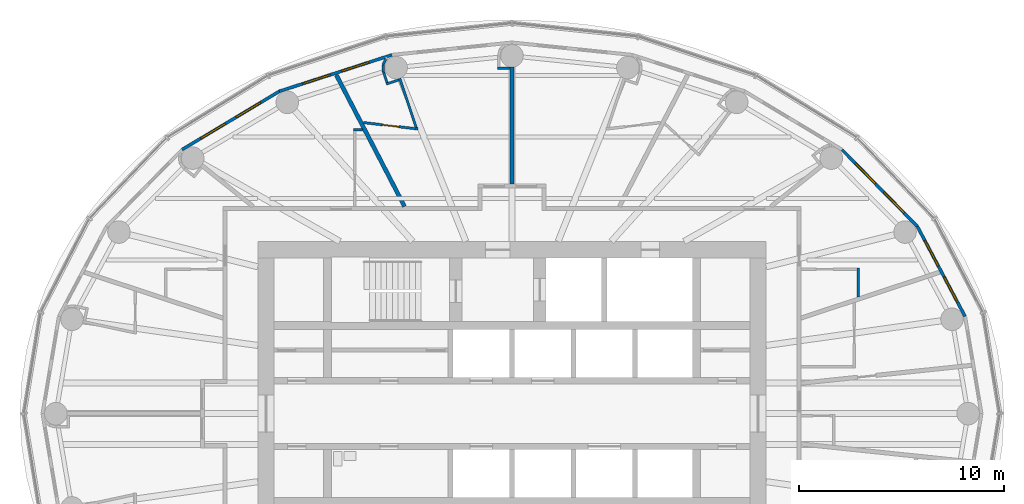
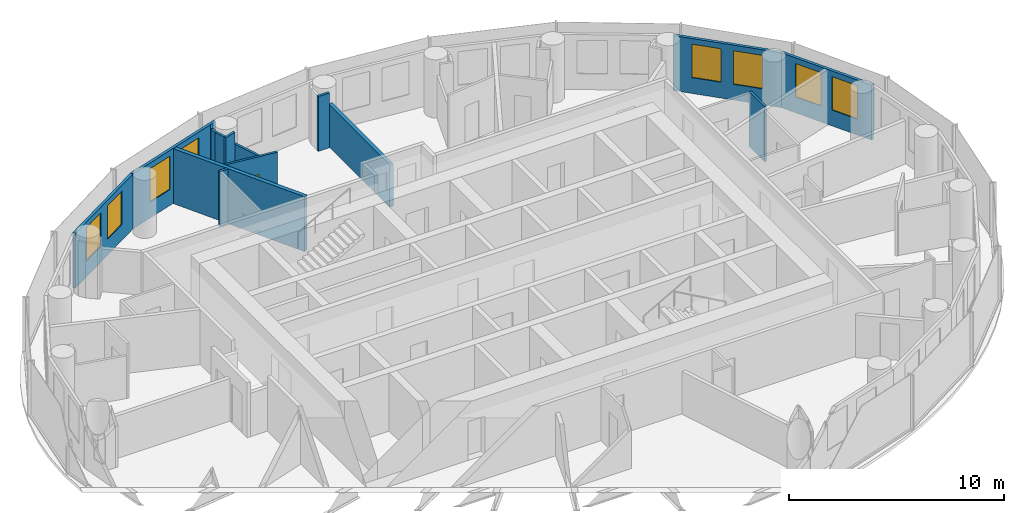
# One storey, part 12 of 16: 15 walls, 8 windows, 1 door, 9 openings.
"""IFC4 building model written with IfcOpenShell, lengths in metres."""

import ifcopenshell
import ifcopenshell.guid

model = None  # the IFC model being written
_history = None  # IfcOwnerHistory: only IFC2X3 demands one
_inside = {}  # id of a spatial element -> (the spatial element, [elements in it])
_under = {}  # id of a project, library or spatial element -> (it, [spatial elements below it])
_declared = {}  # id of a project -> (the project, [libraries it declares])
_typed = {}  # id of a type object -> (the type object, [elements of that type])
_made_of = {}  # id of a material, layer set ... -> (it, [elements and type objects made of it])


def new_model(schema):
    """Start an empty IFC model of exactly this schema.

    Asked for "IFC4X3", IfcOpenShell would pick the latest addendum, in which some entities
    have other attributes; the version numbers below select the first issue.
    IFC2X3 requires an IfcOwnerHistory on every rooted entity: one is made here for all.
    """
    global model, _history
    if schema == "IFC4X3":
        model = ifcopenshell.file(schema_version=(4, 3, 0, 0))
    else:
        model = ifcopenshell.file(schema=schema)
    _inside.clear()
    _under.clear()
    _declared.clear()
    _typed.clear()
    _made_of.clear()
    _history = None
    if model.schema == "IFC2X3":
        org = make("IfcOrganization", Name="unknown")
        user = make(
            "IfcPersonAndOrganization",
            ThePerson=make("IfcPerson", FamilyName="unknown"),
            TheOrganization=org,
        )
        app = make(
            "IfcApplication",
            ApplicationDeveloper=org,
            Version="unknown",
            ApplicationFullName="unknown",
            ApplicationIdentifier="unknown",
        )
        _history = make(
            "IfcOwnerHistory",
            OwningUser=user,
            OwningApplication=app,
            ChangeAction="ADDED",
            CreationDate=0,
        )
    return model


def make(cls, **values):
    """One entity of the class cls with the attributes given. An attribute that is None is left unset."""
    return model.create_entity(
        cls, **{name: value for name, value in values.items() if value is not None}
    )


def rooted(cls, **values):
    """An entity with a GlobalId (a new one), such as an element, a storey or a relation."""
    return make(cls, GlobalId=ifcopenshell.guid.new(), OwnerHistory=_history, **values)


def si_unit(unit_type, name, prefix=None):
    """IfcSIUnit, for example si_unit("LENGTHUNIT", "METRE", prefix="MILLI")."""
    return make("IfcSIUnit", UnitType=unit_type, Prefix=prefix, Name=name)


def assignment(units):
    """IfcUnitAssignment: the units of a project."""
    return None if units is None else make("IfcUnitAssignment", Units=units)


def point(xyz):
    """IfcCartesianPoint."""
    return None if xyz is None else make("IfcCartesianPoint", Coordinates=xyz)


def direction(xyz):
    """IfcDirection."""
    return None if xyz is None else make("IfcDirection", DirectionRatios=xyz)


def frame(location, z_axis=None, x_axis=None):
    """IfcAxis2Placement3D, a coordinate frame: its origin and axes. An axis left out is left unset."""
    return make(
        "IfcAxis2Placement3D",
        Location=point(location),
        Axis=direction(z_axis),
        RefDirection=direction(x_axis),
    )


def frame_2d(location, x_axis=None):
    """IfcAxis2Placement2D, a coordinate frame in the plane: its origin and x axis."""
    return make(
        "IfcAxis2Placement2D", Location=point(location), RefDirection=direction(x_axis)
    )


def origin():
    """The frame at (0, 0, 0) with its axes left unset."""
    return frame((0.0, 0.0, 0.0))


def place(relative_to, where):
    """IfcLocalPlacement: puts the frame where relative to a parent placement (None: the world)."""
    return make(
        "IfcLocalPlacement", PlacementRelTo=relative_to, RelativePlacement=where
    )


def context(
    kind, dimensions, precision=None, world=None, true_north=None, identifier=None
):
    """IfcGeometricRepresentationContext, for example the 3D "Model" context."""
    return make(
        "IfcGeometricRepresentationContext",
        ContextIdentifier=identifier,
        ContextType=kind,
        CoordinateSpaceDimension=dimensions,
        Precision=precision,
        WorldCoordinateSystem=world,
        TrueNorth=true_north,
    )


def subcontext(parent, identifier, kind, view, scale=None):
    """IfcGeometricRepresentationSubContext, for example "Body" below "Model"."""
    return make(
        "IfcGeometricRepresentationSubContext",
        ContextIdentifier=identifier,
        ContextType=kind,
        ParentContext=parent,
        TargetScale=scale,
        TargetView=view,
    )


def project(units=None, contexts=None):
    """IfcProject with its units and contexts."""
    return rooted(
        "IfcProject",
        Name="project",
        RepresentationContexts=contexts,
        UnitsInContext=assignment(units),
    )


def spatial(cls, under=None, at=None, **own):
    """A site, building, storey or space (cls), placed at a placement, below another one or the project."""
    s = rooted(cls, ObjectPlacement=at, **own)
    if under is not None:
        _under.setdefault(under.id(), (under, []))[1].append(s)
    return s


def profile(cls, at=None, kind="AREA", **sizes):
    """A parametric profile (cls). Its sizes go by their IFC names, for example OverallWidth=200.0."""
    return make(cls, ProfileType=kind, Position=at, **sizes)


def rectangle(**sizes):
    """IfcRectangleProfileDef."""
    return profile("IfcRectangleProfileDef", **sizes)


def extrude(swept, where, along, depth):
    """IfcExtrudedAreaSolid: the profile swept, set in the frame where, extruded along a direction by depth."""
    return make(
        "IfcExtrudedAreaSolid",
        SweptArea=swept,
        Position=where,
        ExtrudedDirection=direction(along),
        Depth=depth,
    )


def shape(context_of_items, identifier, shape_type, items):
    """IfcShapeRepresentation: the items that make up one representation, for example the "Body"."""
    return make(
        "IfcShapeRepresentation",
        ContextOfItems=context_of_items,
        RepresentationIdentifier=identifier,
        RepresentationType=shape_type,
        Items=items,
    )


def material(Name=None, Category=None):
    """IfcMaterial."""
    return make("IfcMaterial", Name=Name, Category=Category)


def layer(
    of_material, thickness, ventilated=None, Name=None, Category=None, Priority=None
):
    """IfcMaterialLayer: one layer of a wall or slab, of a material (None: an air gap)."""
    return make(
        "IfcMaterialLayer",
        Material=of_material,
        LayerThickness=thickness,
        IsVentilated=ventilated,
        Name=Name,
        Category=Category,
        Priority=Priority,
    )


def layer_set(layers, Name=None):
    """IfcMaterialLayerSet."""
    return make("IfcMaterialLayerSet", MaterialLayers=layers, LayerSetName=Name)


def made_of(thing, what):
    """Note that an element or type object is made of a material, layer set ...; save() writes the relation."""
    if what is not None:
        _made_of.setdefault(what.id(), (what, []))[1].append(thing)
    return thing


def type_object(cls, material=None, **own):
    """A type object (cls), such as IfcWallType, which elements share."""
    return made_of(rooted(cls, **own), material)


def element(
    cls,
    number,
    at=None,
    inside=None,
    cuts=None,
    type_object=None,
    material=None,
    context=None,
    identifier="Body",
    shape_type=None,
    held_by="IfcProductDefinitionShape",
    body=None,
    shapes=None,
    **own,
):
    """One element of the class cls, such as IfcWall. Its Tag is "e" and its number.

    at: its placement. inside: the storey or other place that contains it. cuts: it is an
    opening in that element (IfcRelVoidsElement). A single representation is given by context,
    identifier, shape_type and body (its items); several are given by shapes. held_by: the class
    of the entity that holds the representations. save() writes the other relations.
    """
    e = rooted(cls, Tag="e%d" % number, ObjectPlacement=at, **own)
    if body is not None:
        shapes = [shape(context, identifier, shape_type, body)]
    if shapes is not None:
        e.Representation = make(held_by, Representations=shapes)
    if inside is not None:
        _inside.setdefault(inside.id(), (inside, []))[1].append(e)
    if cuts is not None:
        rooted(
            "IfcRelVoidsElement", RelatingBuildingElement=cuts, RelatedOpeningElement=e
        )
    if type_object is not None:
        _typed.setdefault(type_object.id(), (type_object, []))[1].append(e)
    return made_of(e, material)


def fill(opening, filler):
    """IfcRelFillsElement: the door or window that sits in an opening."""
    return rooted(
        "IfcRelFillsElement",
        RelatingOpeningElement=opening,
        RelatedBuildingElement=filler,
    )


def aggregate(whole, parts):
    """IfcRelAggregates: a whole, such as a stair, and the parts it consists of."""
    return rooted("IfcRelAggregates", RelatingObject=whole, RelatedObjects=parts)


def save(model, path):
    """Write the relations noted so far, then the file.

    IfcRelAggregates (storeys below a building ...), IfcRelContainedInSpatialStructure (elements
    in a storey), IfcRelDefinesByType, IfcRelAssociatesMaterial and IfcRelDeclares: one each for
    every whole, place, type object, material and project.
    """
    for whole, parts in _under.values():
        aggregate(whole, parts)
    for where, things in _inside.values():
        rooted(
            "IfcRelContainedInSpatialStructure",
            RelatedElements=things,
            RelatingStructure=where,
        )
    for kind, things in _typed.values():
        rooted("IfcRelDefinesByType", RelatedObjects=things, RelatingType=kind)
    for what, things in _made_of.values():
        rooted("IfcRelAssociatesMaterial", RelatedObjects=things, RelatingMaterial=what)
    for by, libraries in _declared.values():
        rooted("IfcRelDeclares", RelatingContext=by, RelatedDefinitions=libraries)
    model.write(path)


model = new_model("IFC4")

# Units and contexts
model_context = context("Model", 3, precision=1e-05, world=origin(), true_north=direction((0.0, 1.0)))
body_context = subcontext(model_context, "Body", "Model", "MODEL_VIEW")
ifc_project = project(units=[si_unit("LENGTHUNIT", "METRE"), si_unit("AREAUNIT", "SQUARE_METRE"), si_unit("VOLUMEUNIT", "CUBIC_METRE"), si_unit("PLANEANGLEUNIT", "RADIAN"), si_unit("MASSUNIT", "GRAM", prefix="KILO")], contexts=[model_context])

# Site, building, storey
site_placement = place(None, origin())
site = spatial("IfcSite", under=ifc_project, at=site_placement, CompositionType="ELEMENT")
building_placement = place(site_placement, origin())
building = spatial("IfcBuilding", under=site, at=building_placement, Name="Hankou Lantern Tower", CompositionType="ELEMENT")
storey_placement = place(building_placement, frame((0.0, 0.0, 173.10009765625)))
storey = spatial("IfcBuildingStorey", under=building, at=storey_placement, Name="L46", CompositionType="ELEMENT", Elevation=173.10009765625)

# Wall, openings, windows
ifc_material_1 = material(Name="Aluminium spandrel panel on steel studs", Category="steel")
ifc_layer_1 = layer(ifc_material_1, 0.14990234375)
ifc_layer_set_1 = layer_set([ifc_layer_1], Name="Aluminium spandrel panel on steel studs")
wall_type_1 = type_object("IfcWallType", Name="EW1 INNER SKIN WALL 150", PredefinedType="ELEMENTEDWALL", material=ifc_layer_set_1)
wall_1_placement = place(storey_placement, frame((22.1015625, 4.73779296875, 0.0), z_axis=(0.0, 0.0, 1.0), x_axis=(-0.468428906714, 0.883501193748, 0.0)))
wall_1 = element("IfcWall", 1, at=wall_1_placement, inside=storey, type_object=wall_type_1, Name="Inner skin R02-R03 L46", PredefinedType="ELEMENTEDWALL", context=body_context, shape_type="SweptSolid", body=[
    extrude(rectangle(XDim=4.9736328125, YDim=0.14990234375, at=frame_2d((2.48681640625, 0.0))), origin(), (0.0, 0.0, 1.0), 3.119873046875),
])
opening_1_placement = place(wall_1_placement, frame((0.786865234375, 0.0, 0.89990234375)))
opening_1 = element("IfcOpeningElement", 2, at=opening_1_placement, cuts=wall_1, Name="Opening W3", PredefinedType="OPENING", context=body_context, shape_type="SweptSolid", body=[
    extrude(rectangle(XDim=1.39990234375, YDim=1.89990234375, at=frame_2d((0.699951171875, 0.949951171875))), frame((0.0, 0.0849609375, 0.0), z_axis=(0.0, -1.0, 0.0), x_axis=(1.0, 0.0, 0.0)), (0.0, 0.0, 1.0), 0.169921875),
])
opening_2_placement = place(wall_1_placement, frame((2.786865234375, 0.0, 0.89990234375)))
opening_2 = element("IfcOpeningElement", 3, at=opening_2_placement, cuts=wall_1, Name="Opening W3", PredefinedType="OPENING", context=body_context, shape_type="SweptSolid", body=[
    extrude(rectangle(XDim=1.39990234375, YDim=1.89990234375, at=frame_2d((0.699951171875, 0.949951171875))), frame((0.0, 0.0849609375, 0.0), z_axis=(0.0, -1.0, 0.0), x_axis=(1.0, 0.0, 0.0)), (0.0, 0.0, 1.0), 0.169921875),
])
ifc_material_2 = material(Name="Aluminium framed double glazed window", Category="aluminium")
window_type = type_object("IfcWindowType", Name="W3 GUEST ROOM WINDOW 1400X1900", PartitioningType="DOUBLE_PANEL_VERTICAL", PredefinedType="WINDOW", material=ifc_material_2)
window_1_placement = place(opening_1_placement, origin())
window_1 = element("IfcWindow", 4, at=window_1_placement, inside=storey, type_object=window_type, Name="Window R02.1 L46", OverallHeight=1.89990234375, OverallWidth=1.39990234375, PartitioningType="SINGLE_PANEL", PredefinedType="WINDOW", context=body_context, shape_type="SweptSolid", body=[
    extrude(rectangle(XDim=1.39990234375, YDim=1.89990234375, at=frame_2d((0.699951171875, 0.949951171875))), frame((0.0, 0.030029296875, 0.0), z_axis=(0.0, -1.0, 0.0), x_axis=(1.0, 0.0, 0.0)), (0.0, 0.0, 1.0), 0.06005859375),
])
fill(opening_1, window_1)
window_2_placement = place(opening_2_placement, origin())
window_2 = element("IfcWindow", 5, at=window_2_placement, inside=storey, type_object=window_type, Name="Window R02.2 L46", OverallHeight=1.89990234375, OverallWidth=1.39990234375, PartitioningType="SINGLE_PANEL", PredefinedType="WINDOW", context=body_context, shape_type="SweptSolid", body=[
    extrude(rectangle(XDim=1.39990234375, YDim=1.89990234375, at=frame_2d((0.699951171875, 0.949951171875))), frame((0.0, 0.030029296875, 0.0), z_axis=(0.0, -1.0, 0.0), x_axis=(1.0, 0.0, 0.0)), (0.0, 0.0, 1.0), 0.06005859375),
])
fill(opening_2, window_2)

wall_2_placement = place(storey_placement, frame((19.771728515625, 9.132080078125, 0.0), z_axis=(0.0, 0.0, 1.0), x_axis=(-0.700727467776, 0.71342905457, 0.0)))
wall_2 = element("IfcWall", 6, at=wall_2_placement, inside=storey, type_object=wall_type_1, Name="Inner skin R03-R04 L46", PredefinedType="ELEMENTEDWALL", context=body_context, shape_type="SweptSolid", body=[
    extrude(rectangle(XDim=5.247314453125, YDim=0.14990234375, at=frame_2d((2.62353515625, 0.0))), origin(), (0.0, 0.0, 1.0), 3.119873046875),
])
opening_3_placement = place(wall_2_placement, frame((0.923583984375, 0.0, 0.89990234375)))
opening_3 = element("IfcOpeningElement", 7, at=opening_3_placement, cuts=wall_2, Name="Opening W3", PredefinedType="OPENING", context=body_context, shape_type="SweptSolid", body=[
    extrude(rectangle(XDim=1.39990234375, YDim=1.89990234375, at=frame_2d((0.699951171875, 0.949951171875))), frame((0.0, 0.0849609375, 0.0), z_axis=(0.0, -1.0, 0.0), x_axis=(1.0, 0.0, 0.0)), (0.0, 0.0, 1.0), 0.169921875),
])
opening_4_placement = place(wall_2_placement, frame((2.923583984375, 0.0, 0.89990234375)))
opening_4 = element("IfcOpeningElement", 8, at=opening_4_placement, cuts=wall_2, Name="Opening W3", PredefinedType="OPENING", context=body_context, shape_type="SweptSolid", body=[
    extrude(rectangle(XDim=1.39990234375, YDim=1.89990234375, at=frame_2d((0.699951171875, 0.949951171875))), frame((0.0, 0.0849609375, 0.0), z_axis=(0.0, -1.0, 0.0), x_axis=(1.0, 0.0, 0.0)), (0.0, 0.0, 1.0), 0.169921875),
])
window_3_placement = place(opening_3_placement, origin())
window_3 = element("IfcWindow", 9, at=window_3_placement, inside=storey, type_object=window_type, Name="Window R03.1 L46", OverallHeight=1.89990234375, OverallWidth=1.39990234375, PartitioningType="SINGLE_PANEL", PredefinedType="WINDOW", context=body_context, shape_type="SweptSolid", body=[
    extrude(rectangle(XDim=1.39990234375, YDim=1.89990234375, at=frame_2d((0.699951171875, 0.949951171875))), frame((0.0, 0.030029296875, 0.0), z_axis=(0.0, -1.0, 0.0), x_axis=(1.0, 0.0, 0.0)), (0.0, 0.0, 1.0), 0.06005859375),
])
fill(opening_3, window_3)
window_4_placement = place(opening_4_placement, origin())
window_4 = element("IfcWindow", 10, at=window_4_placement, inside=storey, type_object=window_type, Name="Window R03.2 L46", OverallHeight=1.89990234375, OverallWidth=1.39990234375, PartitioningType="SINGLE_PANEL", PredefinedType="WINDOW", context=body_context, shape_type="SweptSolid", body=[
    extrude(rectangle(XDim=1.39990234375, YDim=1.89990234375, at=frame_2d((0.699951171875, 0.949951171875))), frame((0.0, 0.030029296875, 0.0), z_axis=(0.0, -1.0, 0.0), x_axis=(1.0, 0.0, 0.0)), (0.0, 0.0, 1.0), 0.06005859375),
])
fill(opening_4, window_4)

wall_3_placement = place(storey_placement, frame((-5.8603515625, 17.497314453125, 0.0), z_axis=(0.0, 0.0, 1.0), x_axis=(-0.951432482129, -0.307857486429, 0.0)))
wall_3 = element("IfcWall", 11, at=wall_3_placement, inside=storey, type_object=wall_type_1, Name="Inner skin R08-R09 L46", PredefinedType="ELEMENTEDWALL", context=body_context, shape_type="SweptSolid", body=[
    extrude(rectangle(XDim=5.76611328125, YDim=0.14990234375, at=frame_2d((2.883056640625, 0.0))), origin(), (0.0, 0.0, 1.0), 3.119873046875),
])
opening_5_placement = place(wall_3_placement, frame((1.18310546875, 0.0, 0.89990234375)))
opening_5 = element("IfcOpeningElement", 12, at=opening_5_placement, cuts=wall_3, Name="Opening W3", PredefinedType="OPENING", context=body_context, shape_type="SweptSolid", body=[
    extrude(rectangle(XDim=1.39990234375, YDim=1.89990234375, at=frame_2d((0.699951171875, 0.949951171875))), frame((0.0, 0.0849609375, 0.0), z_axis=(0.0, -1.0, 0.0), x_axis=(1.0, 0.0, 0.0)), (0.0, 0.0, 1.0), 0.169921875),
])
opening_6_placement = place(wall_3_placement, frame((3.18310546875, 0.0, 0.89990234375)))
opening_6 = element("IfcOpeningElement", 13, at=opening_6_placement, cuts=wall_3, Name="Opening W3", PredefinedType="OPENING", context=body_context, shape_type="SweptSolid", body=[
    extrude(rectangle(XDim=1.39990234375, YDim=1.89990234375, at=frame_2d((0.699951171875, 0.949951171875))), frame((0.0, 0.0849609375, 0.0), z_axis=(0.0, -1.0, 0.0), x_axis=(1.0, 0.0, 0.0)), (0.0, 0.0, 1.0), 0.169921875),
])
window_5_placement = place(opening_5_placement, origin())
window_5 = element("IfcWindow", 14, at=window_5_placement, inside=storey, type_object=window_type, Name="Window R08.1 L46", OverallHeight=1.89990234375, OverallWidth=1.39990234375, PartitioningType="SINGLE_PANEL", PredefinedType="WINDOW", context=body_context, shape_type="SweptSolid", body=[
    extrude(rectangle(XDim=1.39990234375, YDim=1.89990234375, at=frame_2d((0.699951171875, 0.949951171875))), frame((0.0, 0.030029296875, 0.0), z_axis=(0.0, -1.0, 0.0), x_axis=(1.0, 0.0, 0.0)), (0.0, 0.0, 1.0), 0.06005859375),
])
fill(opening_5, window_5)
window_6_placement = place(opening_6_placement, origin())
window_6 = element("IfcWindow", 15, at=window_6_placement, inside=storey, type_object=window_type, Name="Window R08.2 L46", OverallHeight=1.89990234375, OverallWidth=1.39990234375, PartitioningType="SINGLE_PANEL", PredefinedType="WINDOW", context=body_context, shape_type="SweptSolid", body=[
    extrude(rectangle(XDim=1.39990234375, YDim=1.89990234375, at=frame_2d((0.699951171875, 0.949951171875))), frame((0.0, 0.030029296875, 0.0), z_axis=(0.0, -1.0, 0.0), x_axis=(1.0, 0.0, 0.0)), (0.0, 0.0, 1.0), 0.06005859375),
])
fill(opening_6, window_6)

wall_4_placement = place(storey_placement, frame((-11.346435546875, 15.72216796875, 0.0), z_axis=(0.0, 0.0, 1.0), x_axis=(-0.857695199231, -0.514158482587, 0.0)))
wall_4 = element("IfcWall", 16, at=wall_4_placement, inside=storey, type_object=wall_type_1, Name="Inner skin R09-R10 L46", PredefinedType="ELEMENTEDWALL", context=body_context, shape_type="SweptSolid", body=[
    extrude(rectangle(XDim=5.5361328125, YDim=0.14990234375, at=frame_2d((2.76806640625, 0.0))), origin(), (0.0, 0.0, 1.0), 3.119873046875),
])
opening_7_placement = place(wall_4_placement, frame((1.068115234375, 0.0, 0.89990234375)))
opening_7 = element("IfcOpeningElement", 17, at=opening_7_placement, cuts=wall_4, Name="Opening W3", PredefinedType="OPENING", context=body_context, shape_type="SweptSolid", body=[
    extrude(rectangle(XDim=1.39990234375, YDim=1.89990234375, at=frame_2d((0.699951171875, 0.949951171875))), frame((0.0, 0.0849609375, 0.0), z_axis=(0.0, -1.0, 0.0), x_axis=(1.0, 0.0, 0.0)), (0.0, 0.0, 1.0), 0.169921875),
])
opening_8_placement = place(wall_4_placement, frame((3.068115234375, 0.0, 0.89990234375)))
opening_8 = element("IfcOpeningElement", 18, at=opening_8_placement, cuts=wall_4, Name="Opening W3", PredefinedType="OPENING", context=body_context, shape_type="SweptSolid", body=[
    extrude(rectangle(XDim=1.39990234375, YDim=1.89990234375, at=frame_2d((0.699951171875, 0.949951171875))), frame((0.0, 0.0849609375, 0.0), z_axis=(0.0, -1.0, 0.0), x_axis=(1.0, 0.0, 0.0)), (0.0, 0.0, 1.0), 0.169921875),
])
window_7_placement = place(opening_7_placement, origin())
window_7 = element("IfcWindow", 19, at=window_7_placement, inside=storey, type_object=window_type, Name="Window R09.1 L46", OverallHeight=1.89990234375, OverallWidth=1.39990234375, PartitioningType="SINGLE_PANEL", PredefinedType="WINDOW", context=body_context, shape_type="SweptSolid", body=[
    extrude(rectangle(XDim=1.39990234375, YDim=1.89990234375, at=frame_2d((0.699951171875, 0.949951171875))), frame((0.0, 0.030029296875, 0.0), z_axis=(0.0, -1.0, 0.0), x_axis=(1.0, 0.0, 0.0)), (0.0, 0.0, 1.0), 0.06005859375),
])
fill(opening_7, window_7)
window_8_placement = place(opening_8_placement, origin())
window_8 = element("IfcWindow", 20, at=window_8_placement, inside=storey, type_object=window_type, Name="Window R09.2 L46", OverallHeight=1.89990234375, OverallWidth=1.39990234375, PartitioningType="SINGLE_PANEL", PredefinedType="WINDOW", context=body_context, shape_type="SweptSolid", body=[
    extrude(rectangle(XDim=1.39990234375, YDim=1.89990234375, at=frame_2d((0.699951171875, 0.949951171875))), frame((0.0, 0.030029296875, 0.0), z_axis=(0.0, -1.0, 0.0), x_axis=(1.0, 0.0, 0.0)), (0.0, 0.0, 1.0), 0.06005859375),
])
fill(opening_8, window_8)

# Walls
ifc_material_3 = material(Name="Masonry lightweight concrete block", Category="masonry")
ifc_layer_2 = layer(ifc_material_3, 0.199951171875)
ifc_layer_set_2 = layer_set([ifc_layer_2], Name="Masonry lightweight concrete block")
wall_type_2 = type_object("IfcWallType", Name="IW1 GUEST ROOM PARTY WALL 200", PredefinedType="PARTITIONING", material=ifc_layer_set_2)
wall_5_placement = place(storey_placement, frame((0.0, 11.199951171875, 0.0), z_axis=(0.0, 0.0, 1.0), x_axis=(0.0, 1.0, 0.0)))
element("IfcWall", 21, at=wall_5_placement, inside=storey, type_object=wall_type_2, Name="Party wall R07", PredefinedType="PARTITIONING", context=body_context, shape_type="SweptSolid", body=[
    extrude(rectangle(XDim=5.699951171875, YDim=0.199951171875, at=frame_2d((2.85009765625, 0.0))), origin(), (0.0, 0.0, 1.0), 2.419921875),
])
wall_6_placement = place(storey_placement, frame((-5.239990234375, 10.10009765625, 0.0), z_axis=(0.0, 0.0, 1.0), x_axis=(-0.460532965373, 0.887642601391, 0.0)))
element("IfcWall", 22, at=wall_6_placement, inside=storey, type_object=wall_type_2, Name="Party wall R08-R09", PredefinedType="PARTITIONING", context=body_context, shape_type="SweptSolid", body=[
    extrude(rectangle(XDim=7.2314453125, YDim=0.199951171875, at=frame_2d((3.61572265625, 0.0))), origin(), (0.0, 0.0, 1.0), 3.119873046875),
])
ifc_material_4 = material(Name="Masonry lightweight concrete block", Category="masonry")
ifc_layer_3 = layer(ifc_material_4, 0.1201171875)
ifc_layer_set_3 = layer_set([ifc_layer_3], Name="Masonry lightweight concrete block")
wall_type_3 = type_object("IfcWallType", Name="IW3 BATHROOM WALL 120", PredefinedType="PARTITIONING", material=ifc_layer_set_3)
wall_7_placement = place(storey_placement, frame((16.89990234375, 5.687255859375, 0.0), z_axis=(0.0, 0.0, 1.0), x_axis=(0.0, 1.0, 0.0)))
element("IfcWall", 23, at=wall_7_placement, inside=storey, type_object=wall_type_3, Name="Box wall 4606 1", PredefinedType="PARTITIONING", context=body_context, shape_type="SweptSolid", body=[
    extrude(rectangle(XDim=1.414306640625, YDim=0.1201171875, at=frame_2d((0.70703125, 0.0))), origin(), (0.0, 0.0, 1.0), 3.119873046875),
])

# Wall, opening, door
wall_8_placement = place(storey_placement, frame((-7.2529296875, 14.197021484375, 0.0), z_axis=(0.0, 0.0, 1.0), x_axis=(0.993128188393, -0.117031625725, 0.0)))
wall_8 = element("IfcWall", 24, at=wall_8_placement, inside=storey, type_object=wall_type_3, Name="Box wall 4609 1", PredefinedType="PARTITIONING", context=body_context, shape_type="SweptSolid", body=[
    extrude(rectangle(XDim=2.678466796875, YDim=0.1201171875, at=frame_2d((1.33935546875, 0.0))), origin(), (0.0, 0.0, 1.0), 3.119873046875),
])
opening_9_placement = place(wall_8_placement, frame((0.939208984375, 0.0, 0.0)))
opening_9 = element("IfcOpeningElement", 25, at=opening_9_placement, cuts=wall_8, Name="Opening D3", PredefinedType="OPENING", context=body_context, shape_type="SweptSolid", body=[
    extrude(rectangle(XDim=0.800048828125, YDim=2.10009765625, at=frame_2d((0.39990234375, 1.050048828125))), frame((0.0, 0.070068359375, 0.0), z_axis=(0.0, -1.0, 0.0), x_axis=(1.0, 0.0, 0.0)), (0.0, 0.0, 1.0), 0.14013671875),
])
ifc_material_5 = material(Name="Timber door leaf", Category="wood")
door_type = type_object("IfcDoorType", Name="D3 BATHROOM DOOR 800X2100", OperationType="SINGLE_SWING_LEFT", PredefinedType="DOOR", material=ifc_material_5)
door_placement = place(opening_9_placement, origin())
door = element("IfcDoor", 26, at=door_placement, inside=storey, type_object=door_type, Name="En-suite bathroom 4609 door", OperationType="SINGLE_SWING_RIGHT", OverallHeight=2.10009765625, OverallWidth=0.800048828125, PredefinedType="DOOR", context=body_context, shape_type="SweptSolid", body=[
    extrude(rectangle(XDim=0.800048828125, YDim=2.10009765625, at=frame_2d((0.39990234375, 1.050048828125))), frame((0.0, 0.02490234375, 0.0), z_axis=(0.0, -1.0, 0.0), x_axis=(1.0, 0.0, 0.0)), (0.0, 0.0, 1.0), 0.050048828125),
])
fill(opening_9, door)

# Walls
wall_9_placement = place(storey_placement, frame((-4.67138671875, 13.947509765625, 0.0), z_axis=(0.0, 0.0, 1.0), x_axis=(-0.317669167093, 0.948201613729, 0.0)))
element("IfcWall", 27, at=wall_9_placement, inside=storey, type_object=wall_type_3, Name="Box wall 4609 2", PredefinedType="PARTITIONING", context=body_context, shape_type="SweptSolid", body=[
    extrude(rectangle(XDim=2.5400390625, YDim=0.1201171875, at=frame_2d((1.27001953125, 0.0))), origin(), (0.0, 0.0, 1.0), 2.419921875),
])
wall_10_placement = place(storey_placement, frame((-5.51611328125, 16.280029296875, 0.0), z_axis=(0.0, 0.0, 1.0), x_axis=(-0.948157944392, -0.317799484717, 0.0)))
element("IfcWall", 28, at=wall_10_placement, inside=storey, type_object=wall_type_3, Name="Column casing 4609 return", PredefinedType="PARTITIONING", context=body_context, shape_type="SweptSolid", body=[
    extrude(rectangle(XDim=0.652099609375, YDim=0.1201171875, at=frame_2d((0.326171875, 0.0))), origin(), (0.0, 0.0, 1.0), 3.119873046875),
])
wall_11_placement = place(storey_placement, frame((-6.0966796875, 16.148681640625, 0.0), z_axis=(0.0, 0.0, 1.0), x_axis=(-0.317292604854, 0.948327687514, 0.0)))
element("IfcWall", 29, at=wall_11_placement, inside=storey, type_object=wall_type_3, Name="Column casing 4609", PredefinedType="PARTITIONING", context=body_context, shape_type="SweptSolid", body=[
    extrude(rectangle(XDim=0.550048828125, YDim=0.1201171875, at=frame_2d((0.27490234375, 0.0))), origin(), (0.0, 0.0, 1.0), 3.119873046875),
])
for number, where, z_axis, x_axis, name in (
    (30, (-6.271240234375, 16.67041015625, 0.0), (0.0, 0.0, 1.0), (-0.061477694849, 0.998108457552, 0.0), "Column casing 4609"),
    (31, (-6.2919921875, 17.00732421875, 0.0), (0.0, 0.0, 1.0), (0.445477128334, 0.895293319606, 0.0), "Column casing 4609"),
):
    element("IfcWall", number, at=place(storey_placement, frame(where, z_axis=z_axis, x_axis=x_axis)), inside=storey, type_object=wall_type_3, Name=name, PredefinedType="PARTITIONING", context=body_context, shape_type="SweptSolid", body=[
        extrude(rectangle(XDim=0.337646484375, YDim=0.1201171875, at=frame_2d((0.1689453125, 0.0))), origin(), (0.0, 0.0, 1.0), 3.119873046875),
    ])
wall_12_placement = place(storey_placement, frame((-7.28564453125, 13.85009765625, 0.0), z_axis=(0.0, 0.0, 1.0), x_axis=(-1.0, 0.0, 0.0)))
element("IfcWall", 32, at=wall_12_placement, inside=storey, type_object=wall_type_3, Name="Box wall 4610 1", PredefinedType="PARTITIONING", context=body_context, shape_type="SweptSolid", body=[
    extrude(rectangle(XDim=0.4443359375, YDim=0.1201171875, at=frame_2d((0.22216796875, 0.0))), origin(), (0.0, 0.0, 1.0), 3.119873046875),
])
ifc_material_6 = material(Name="Masonry lightweight concrete block", Category="masonry")
ifc_layer_4 = layer(ifc_material_6, 0.1201171875)
ifc_layer_set_4 = layer_set([ifc_layer_4], Name="Masonry lightweight concrete block")
wall_type_4 = type_object("IfcWallType", Name="IW4 PARTITION 120", PredefinedType="PARTITIONING", material=ifc_layer_set_4)
wall_13_placement = place(storey_placement, frame((-0.10009765625, 16.840087890625, 0.0), z_axis=(0.0, 0.0, 1.0), x_axis=(-1.0, 0.0, 0.0)))
element("IfcWall", 33, at=wall_13_placement, inside=storey, type_object=wall_type_4, Name="Column casing R07 return", PredefinedType="PARTITIONING", context=body_context, shape_type="SweptSolid", body=[
    extrude(rectangle(XDim=0.612060546875, YDim=0.1201171875, at=frame_2d((0.30615234375, 0.0))), origin(), (0.0, 0.0, 1.0), 3.119873046875),
])

save(model, "model.ifc")
